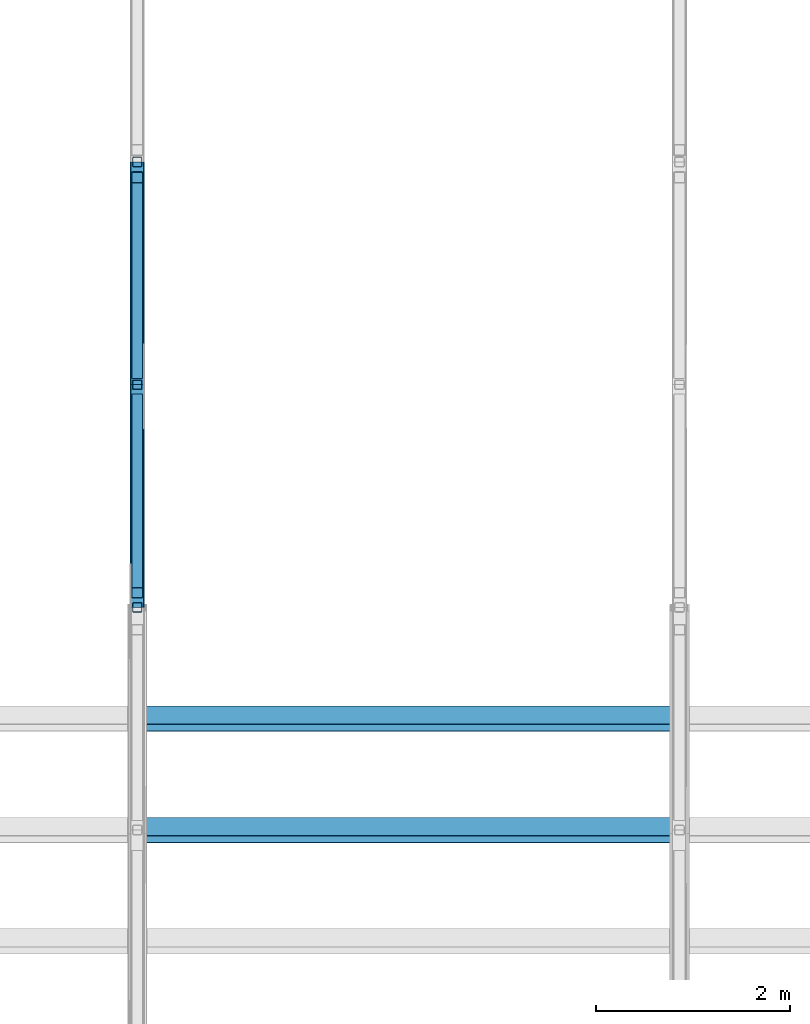
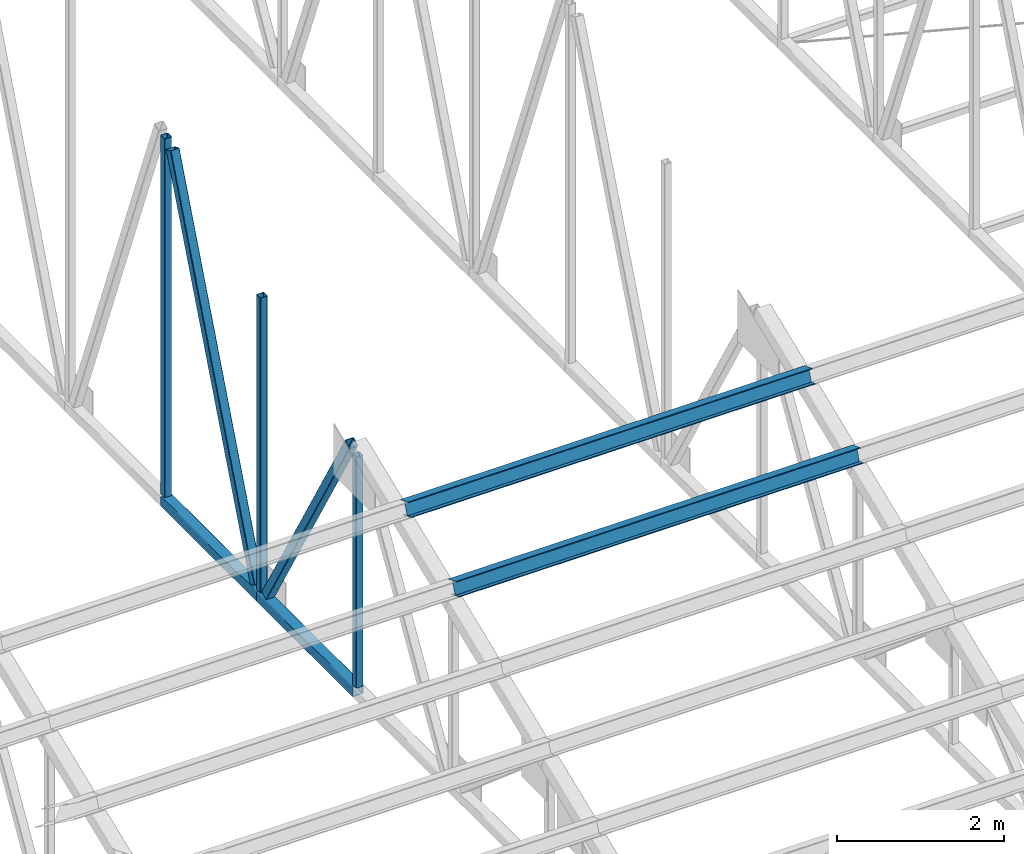
# One storey, part 9 of 71: 9 members.
"""IFC4 building model written with IfcOpenShell, lengths in metres."""

from ifc_helpers import new_model, si_unit, direction, frame, origin, origin_2d, place, context, subcontext, project, spatial, hollow_rectangle, i_section, extrude, material, material_profile, profile_set, type_object, element, save


model = new_model("IFC4")

# Units and contexts
model_context = context("Model", 3, precision=1e-05, world=origin(), true_north=direction((0.0, 1.0)))
body_context = subcontext(model_context, "Body", "Model", "MODEL_VIEW")
ifc_project = project(units=[si_unit("LENGTHUNIT", "METRE"), si_unit("AREAUNIT", "SQUARE_METRE"), si_unit("VOLUMEUNIT", "CUBIC_METRE"), si_unit("PLANEANGLEUNIT", "RADIAN"), si_unit("MASSUNIT", "GRAM", prefix="KILO")], contexts=[model_context])

# Site, building, storey
site_placement = place(None, origin())
site = spatial("IfcSite", under=ifc_project, at=site_placement, CompositionType="ELEMENT")
building_placement = place(site_placement, origin())
building = spatial("IfcBuilding", under=site, at=building_placement, Name="Wasatch Bagh Community Centre", CompositionType="ELEMENT")
storey_placement = place(building_placement, frame((0.0, 0.0, 12.60009765625)))
storey = spatial("IfcBuildingStorey", under=building, at=storey_placement, Name="L03", CompositionType="ELEMENT", Elevation=12.60009765625)

# Members
ifc_material_1 = material(Name="ASTM A500 Grade C steel", Category="steel")
ifc_material_profile_1 = material_profile(ifc_material_1, hollow_rectangle(XDim=0.1015625, YDim=0.1015625, WallThickness=0.005859375, InnerFilletRadius=0.005859375, OuterFilletRadius=0.01171875, at=origin_2d()), Name="HSS4x4x1/4")
ifc_profile_set_1 = profile_set([ifc_material_profile_1], Name="ASTM A500 Grade C steel")
member_type_1 = type_object("IfcMemberType", Name="SH HSS4x4x1/4 post", PredefinedType="POST", material=ifc_profile_set_1)
member_1_placement = place(storey_placement, frame((129.0, 45.10009765625, 0.76220703125), z_axis=(0.0, 0.0, 1.0), x_axis=(1.0, 0.0, 0.0)))
element("IfcMember", 1, at=member_1_placement, inside=storey, type_object=member_type_1, Name="SH.SA4.PS04", PredefinedType="POST", context=body_context, shape_type="SweptSolid", body=[
    extrude(hollow_rectangle(XDim=0.1015625, YDim=0.1015625, WallThickness=0.005859375, InnerFilletRadius=0.005859375, OuterFilletRadius=0.01171875, at=origin_2d()), origin(), (0.0, 0.0, 1.0), 3.37890625),
])
member_2_placement = place(storey_placement, frame((129.0, 47.39990234375, 0.76220703125), z_axis=(0.0, 0.0, 1.0), x_axis=(1.0, 0.0, 0.0)))
element("IfcMember", 2, at=member_2_placement, inside=storey, type_object=member_type_1, Name="SH.SA4.PS05", PredefinedType="POST", context=body_context, shape_type="SweptSolid", body=[
    extrude(hollow_rectangle(XDim=0.1015625, YDim=0.1015625, WallThickness=0.005859375, InnerFilletRadius=0.005859375, OuterFilletRadius=0.01171875, at=origin_2d()), origin(), (0.0, 0.0, 1.0), 4.316162109375),
])
member_3_placement = place(storey_placement, frame((129.0, 49.699951171875, 0.76220703125), z_axis=(0.0, 0.0, 1.0), x_axis=(1.0, 0.0, 0.0)))
element("IfcMember", 3, at=member_3_placement, inside=storey, type_object=member_type_1, Name="SH.SA4.PS06", PredefinedType="POST", context=body_context, shape_type="SweptSolid", body=[
    extrude(hollow_rectangle(XDim=0.1015625, YDim=0.1015625, WallThickness=0.005859375, InnerFilletRadius=0.005859375, OuterFilletRadius=0.01171875, at=origin_2d()), origin(), (0.0, 0.0, 1.0), 5.25341796875),
])
ifc_material_profile_2 = material_profile(ifc_material_1, hollow_rectangle(XDim=0.126953125, YDim=0.126953125, WallThickness=0.00732421875, InnerFilletRadius=0.00732421875, OuterFilletRadius=0.0146484375, at=origin_2d()), Name="HSS5x5x5/16")
ifc_profile_set_2 = profile_set([ifc_material_profile_2], Name="ASTM A500 Grade C steel")
member_type_2 = type_object("IfcMemberType", Name="SH HSS5x5x5/16 brace", PredefinedType="BRACE", material=ifc_profile_set_2)
member_4_placement = place(storey_placement, frame((129.0, 47.24755859375, 0.794677734375), z_axis=(0.0, -0.50383651599, 0.863799030536), x_axis=(1.0, 0.0, 0.0)))
element("IfcMember", 4, at=member_4_placement, inside=storey, type_object=member_type_2, Name="SH.SA4.WB04", PredefinedType="BRACE", context=body_context, shape_type="SweptSolid", body=[
    extrude(hollow_rectangle(XDim=0.126953125, YDim=0.126953125, WallThickness=0.00732421875, InnerFilletRadius=0.00732421875, OuterFilletRadius=0.0146484375, at=origin_2d()), origin(), (0.0, 0.0, 1.0), 3.958984375),
])
member_5_placement = place(storey_placement, frame((129.0, 47.52490234375, 0.785888671875), z_axis=(0.0, 0.365198017435, 0.930929862053), x_axis=(-1.0, 0.0, 0.0)))
element("IfcMember", 5, at=member_5_placement, inside=storey, type_object=member_type_2, Name="SH.SA4.WB05", PredefinedType="BRACE", context=body_context, shape_type="SweptSolid", body=[
    extrude(hollow_rectangle(XDim=0.126953125, YDim=0.126953125, WallThickness=0.00732421875, InnerFilletRadius=0.00732421875, OuterFilletRadius=0.0146484375, at=origin_2d()), origin(), (0.0, 0.0, 1.0), 5.52001953125),
])
ifc_material_profile_3 = material_profile(ifc_material_1, hollow_rectangle(XDim=0.15234375, YDim=0.15234375, WallThickness=0.0087890625, InnerFilletRadius=0.0087890625, OuterFilletRadius=0.017822265625, at=origin_2d()), Name="HSS6x6x3/8")
ifc_profile_set_3 = profile_set([ifc_material_profile_3], Name="ASTM A500 Grade C steel")
member_type_3 = type_object("IfcMemberType", Name="SH HSS6x6x3/8 chord", PredefinedType="CHORD", material=ifc_profile_set_3)
member_6_placement = place(storey_placement, frame((129.0, 45.10009765625, 0.68603515625), z_axis=(0.0, 1.0, 0.0), x_axis=(-1.0, 0.0, 0.0)))
element("IfcMember", 6, at=member_6_placement, inside=storey, type_object=member_type_3, Name="SH.SA4.BC04", PredefinedType="CHORD", context=body_context, shape_type="SweptSolid", body=[
    extrude(hollow_rectangle(XDim=0.15234375, YDim=0.15234375, WallThickness=0.0087890625, InnerFilletRadius=0.0087890625, OuterFilletRadius=0.017822265625, at=origin_2d()), origin(), (0.0, 0.0, 1.0), 2.2998046875),
])
member_7_placement = place(storey_placement, frame((129.0, 47.39990234375, 0.68603515625), z_axis=(0.0, 1.0, 0.0), x_axis=(-1.0, 0.0, 0.0)))
element("IfcMember", 7, at=member_7_placement, inside=storey, type_object=member_type_3, Name="SH.SA4.BC05", PredefinedType="CHORD", context=body_context, shape_type="SweptSolid", body=[
    extrude(hollow_rectangle(XDim=0.15234375, YDim=0.15234375, WallThickness=0.0087890625, InnerFilletRadius=0.0087890625, OuterFilletRadius=0.017822265625, at=origin_2d()), origin(), (0.0, 0.0, 1.0), 2.300048828125),
])
ifc_material_2 = material(Name="ASTM A992 Grade 50 steel", Category="steel")
ifc_material_profile_4 = material_profile(ifc_material_2, i_section(OverallWidth=0.203125, OverallDepth=0.203125, WebThickness=0.00732421875, FlangeThickness=0.010986328125, at=origin_2d()), Name="W8x31")
ifc_profile_set_4 = profile_set([ifc_material_profile_4], Name="ASTM A992 Grade 50 steel")
member_type_4 = type_object("IfcMemberType", Name="SH W8x31 purlin", PredefinedType="PURLIN", material=ifc_profile_set_4)
for number, where, z_axis, x_axis, name in (
    (8, (129.0, 42.800048828125, 3.577880859375), (1.0, 0.0, 0.0), (0.0, 0.927183854567, -0.374606593416), "SH.PUR.b4.PU08"),
    (9, (129.0, 43.949951171875, 4.042724609375), (1.0, 0.0, 0.0), (0.0, 0.927183854567, -0.374606593416), "SH.PUR.b4.PU09"),
):
    element("IfcMember", number, at=place(storey_placement, frame(where, z_axis=z_axis, x_axis=x_axis)), inside=storey, type_object=member_type_4, Name=name, PredefinedType="PURLIN", context=body_context, shape_type="SweptSolid", body=[
        extrude(i_section(OverallWidth=0.203125, OverallDepth=0.203125, WebThickness=0.00732421875, FlangeThickness=0.010986328125, at=origin_2d()), origin(), (0.0, 0.0, 1.0), 5.60009765625),
    ])

save(model, "model.ifc")
